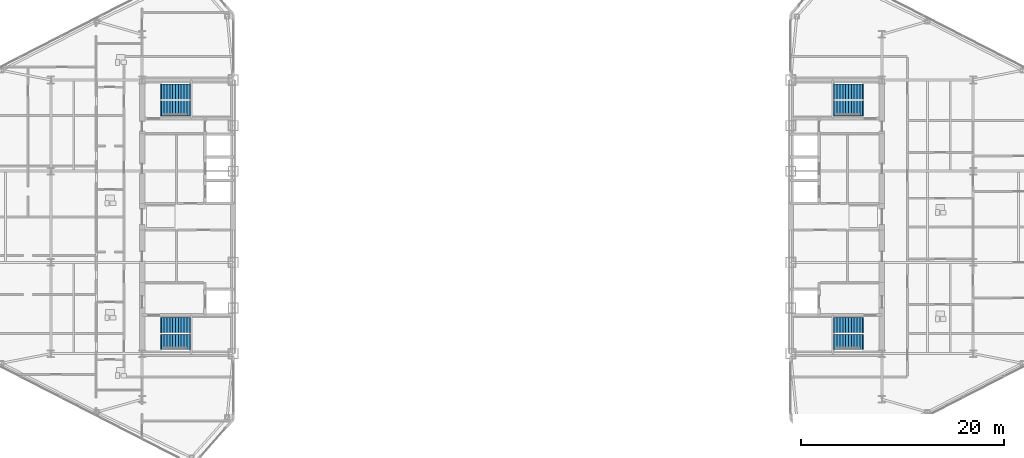
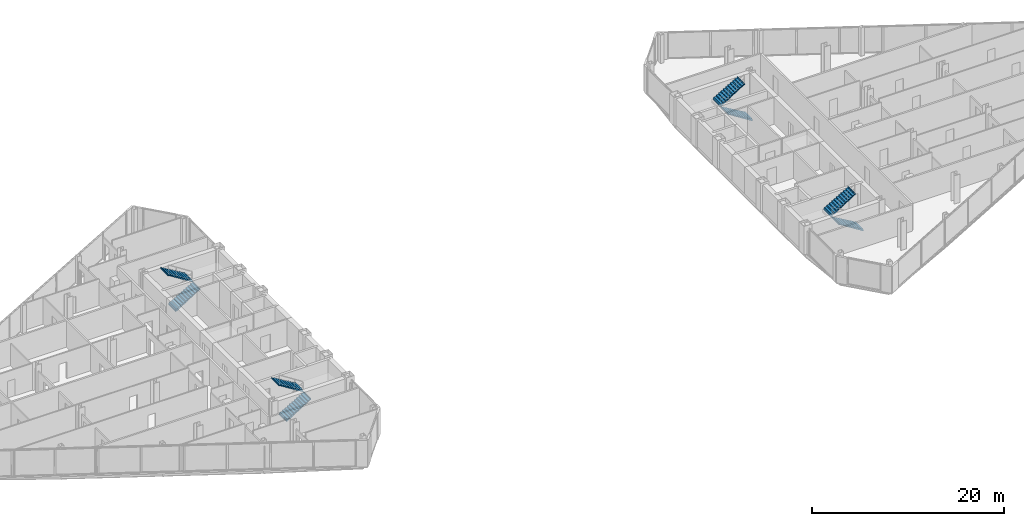
# One storey, part 21 of 23: 8 stair flights, 4 elements without a shape of their own.
"""IFC4 building model written with IfcOpenShell, lengths in metres."""

from ifc_helpers import new_model, si_unit, direction, frame, origin, place, context, subcontext, project, spatial, polyline, outline, extrude, material, type_object, element, aggregate, save


model = new_model("IFC4")

# Units and contexts
model_context = context("Model", 3, precision=1e-05, world=origin(), true_north=direction((0.0, 1.0)))
body_context = subcontext(model_context, "Body", "Model", "MODEL_VIEW")
ifc_project = project(units=[si_unit("LENGTHUNIT", "METRE"), si_unit("AREAUNIT", "SQUARE_METRE"), si_unit("VOLUMEUNIT", "CUBIC_METRE"), si_unit("PLANEANGLEUNIT", "RADIAN"), si_unit("MASSUNIT", "GRAM", prefix="KILO")], contexts=[model_context])

# Site, building, storey
site_placement = place(None, origin())
site = spatial("IfcSite", under=ifc_project, at=site_placement, CompositionType="ELEMENT")
building_placement = place(site_placement, origin())
building = spatial("IfcBuilding", under=site, at=building_placement, Name="Seokmaru Belvedere", CompositionType="ELEMENT")
storey_placement = place(building_placement, frame((0.0, 0.0, 144.0)))
storey = spatial("IfcBuildingStorey", under=building, at=storey_placement, Name="L38", CompositionType="ELEMENT", Elevation=144.0)

# Stair, stair flights
ifc_material = material(Name="Concrete C40 (40 MPa)", Category="concrete")
stair_type = type_object("IfcStairType", Name="Typical Tower Core Dog-Leg Stair 3600", PredefinedType="TWO_STRAIGHT_RUN_STAIR", material=ifc_material)
stair_1_placement = place(storey_placement, origin())
stair_1 = element("IfcStair", 1, at=stair_1_placement, inside=storey, type_object=stair_type, Name="L38 Special Escape Stair ST-W1", PredefinedType="TWO_STRAIGHT_RUN_STAIR")
stair_flight_type = type_object("IfcStairFlightType", Name="Reinforced Concrete Stair Flight 1500", PredefinedType="STRAIGHT", material=ifc_material)
stair_flight_1_placement = place(storey_placement, frame((-34.60009765625, -12.35009765625, 0.0), z_axis=(0.0, 0.0, 1.0), x_axis=(1.0, 0.0, 0.0)))
stair_flight_1 = element("IfcStairFlight", 2, at=stair_flight_1_placement, type_object=stair_flight_type, Name="ST-W1 flight 1", NumberOfRisers=11, NumberOfTreads=10, PredefinedType="STRAIGHT", RiserHeight=0.163636364, TreadLength=0.28, context=body_context, shape_type="SweptSolid", body=[
    extrude(outline(polyline([(-0.080078125, 0.0), (0.0, 0.16357421875), (0.280029296875, 0.16357421875), (0.280029296875, 0.327392578125), (0.56005859375, 0.327392578125), (0.56005859375, 0.490966796875), (0.840087890625, 0.490966796875), (0.840087890625, 0.654541015625), (1.1201171875, 0.654541015625), (1.1201171875, 0.818115234375), (1.39990234375, 0.818115234375), (1.39990234375, 0.98193359375), (1.679931640625, 0.98193359375), (1.679931640625, 1.1455078125), (1.9599609375, 1.1455078125), (1.9599609375, 1.30908203125), (2.239990234375, 1.30908203125), (2.239990234375, 1.47265625), (2.52001953125, 1.47265625), (2.52001953125, 1.636474609375), (2.800048828125, 1.636474609375), (2.800048828125, 1.800048828125), (2.8798828125, 1.800048828125), (2.8798828125, 1.610107421875), (2.800048828125, 1.610107421875), (0.0, -0.159912109375), (-0.080078125, -0.159912109375), (-0.080078125, 0.0)])), frame((0.0, 0.75, 0.0), z_axis=(0.0, -1.0, 0.0), x_axis=(1.0, 0.0, 0.0)), (0.0, 0.0, 1.0), 1.5),
])
stair_flight_2_placement = place(storey_placement, frame((-31.800048828125, -10.7099609375, 1.800048828125), z_axis=(0.0, 0.0, 1.0), x_axis=(-1.0, 0.0, 0.0)))
stair_flight_2 = element("IfcStairFlight", 3, at=stair_flight_2_placement, type_object=stair_flight_type, Name="ST-W1 flight 2", NumberOfRisers=11, NumberOfTreads=10, PredefinedType="STRAIGHT", RiserHeight=0.163636364, TreadLength=0.28, context=body_context, shape_type="SweptSolid", body=[
    extrude(outline(polyline([(-0.080078125, 0.0), (0.0, 0.16357421875), (0.280029296875, 0.16357421875), (0.280029296875, 0.327392578125), (0.56005859375, 0.327392578125), (0.56005859375, 0.490966796875), (0.840087890625, 0.490966796875), (0.840087890625, 0.654541015625), (1.1201171875, 0.654541015625), (1.1201171875, 0.818115234375), (1.39990234375, 0.818115234375), (1.39990234375, 0.98193359375), (1.679931640625, 0.98193359375), (1.679931640625, 1.1455078125), (1.9599609375, 1.1455078125), (1.9599609375, 1.30908203125), (2.239990234375, 1.30908203125), (2.239990234375, 1.47265625), (2.52001953125, 1.47265625), (2.52001953125, 1.636474609375), (2.800048828125, 1.636474609375), (2.800048828125, 1.800048828125), (2.8798828125, 1.800048828125), (2.8798828125, 1.610107421875), (2.800048828125, 1.610107421875), (0.0, -0.159912109375), (-0.080078125, -0.159912109375), (-0.080078125, 0.0)])), frame((0.0, 0.75, 0.0), z_axis=(0.0, -1.0, 0.0), x_axis=(1.0, 0.0, 0.0)), (0.0, 0.0, 1.0), 1.5),
])
aggregate(stair_1, [stair_flight_1, stair_flight_2])

stair_2_placement = place(storey_placement, origin())
stair_2 = element("IfcStair", 4, at=stair_2_placement, inside=storey, type_object=stair_type, Name="L38 Special Escape Stair ST-W2", PredefinedType="TWO_STRAIGHT_RUN_STAIR")
stair_flight_3_placement = place(storey_placement, frame((-34.60009765625, 10.7099609375, 0.0), z_axis=(0.0, 0.0, 1.0), x_axis=(1.0, 0.0, 0.0)))
stair_flight_3 = element("IfcStairFlight", 5, at=stair_flight_3_placement, type_object=stair_flight_type, Name="ST-W2 flight 1", NumberOfRisers=11, NumberOfTreads=10, PredefinedType="STRAIGHT", RiserHeight=0.163636364, TreadLength=0.28, context=body_context, shape_type="SweptSolid", body=[
    extrude(outline(polyline([(-0.080078125, 0.0), (0.0, 0.16357421875), (0.280029296875, 0.16357421875), (0.280029296875, 0.327392578125), (0.56005859375, 0.327392578125), (0.56005859375, 0.490966796875), (0.840087890625, 0.490966796875), (0.840087890625, 0.654541015625), (1.1201171875, 0.654541015625), (1.1201171875, 0.818115234375), (1.39990234375, 0.818115234375), (1.39990234375, 0.98193359375), (1.679931640625, 0.98193359375), (1.679931640625, 1.1455078125), (1.9599609375, 1.1455078125), (1.9599609375, 1.30908203125), (2.239990234375, 1.30908203125), (2.239990234375, 1.47265625), (2.52001953125, 1.47265625), (2.52001953125, 1.636474609375), (2.800048828125, 1.636474609375), (2.800048828125, 1.800048828125), (2.8798828125, 1.800048828125), (2.8798828125, 1.610107421875), (2.800048828125, 1.610107421875), (0.0, -0.159912109375), (-0.080078125, -0.159912109375), (-0.080078125, 0.0)])), frame((0.0, 0.75, 0.0), z_axis=(0.0, -1.0, 0.0), x_axis=(1.0, 0.0, 0.0)), (0.0, 0.0, 1.0), 1.5),
])
stair_flight_4_placement = place(storey_placement, frame((-31.800048828125, 12.35009765625, 1.800048828125), z_axis=(0.0, 0.0, 1.0), x_axis=(-1.0, 0.0, 0.0)))
stair_flight_4 = element("IfcStairFlight", 6, at=stair_flight_4_placement, type_object=stair_flight_type, Name="ST-W2 flight 2", NumberOfRisers=11, NumberOfTreads=10, PredefinedType="STRAIGHT", RiserHeight=0.163636364, TreadLength=0.28, context=body_context, shape_type="SweptSolid", body=[
    extrude(outline(polyline([(-0.080078125, 0.0), (0.0, 0.16357421875), (0.280029296875, 0.16357421875), (0.280029296875, 0.327392578125), (0.56005859375, 0.327392578125), (0.56005859375, 0.490966796875), (0.840087890625, 0.490966796875), (0.840087890625, 0.654541015625), (1.1201171875, 0.654541015625), (1.1201171875, 0.818115234375), (1.39990234375, 0.818115234375), (1.39990234375, 0.98193359375), (1.679931640625, 0.98193359375), (1.679931640625, 1.1455078125), (1.9599609375, 1.1455078125), (1.9599609375, 1.30908203125), (2.239990234375, 1.30908203125), (2.239990234375, 1.47265625), (2.52001953125, 1.47265625), (2.52001953125, 1.636474609375), (2.800048828125, 1.636474609375), (2.800048828125, 1.800048828125), (2.8798828125, 1.800048828125), (2.8798828125, 1.610107421875), (2.800048828125, 1.610107421875), (0.0, -0.159912109375), (-0.080078125, -0.159912109375), (-0.080078125, 0.0)])), frame((0.0, 0.75, 0.0), z_axis=(0.0, -1.0, 0.0), x_axis=(1.0, 0.0, 0.0)), (0.0, 0.0, 1.0), 1.5),
])
aggregate(stair_2, [stair_flight_3, stair_flight_4])

stair_3_placement = place(storey_placement, origin())
stair_3 = element("IfcStair", 7, at=stair_3_placement, inside=storey, type_object=stair_type, Name="L38 Special Escape Stair ST-E1", PredefinedType="TWO_STRAIGHT_RUN_STAIR")
stair_flight_5_placement = place(storey_placement, frame((34.60009765625, -12.35009765625, 0.0), z_axis=(0.0, 0.0, 1.0), x_axis=(-1.0, 0.0, 0.0)))
stair_flight_5 = element("IfcStairFlight", 8, at=stair_flight_5_placement, type_object=stair_flight_type, Name="ST-E1 flight 1", NumberOfRisers=11, NumberOfTreads=10, PredefinedType="STRAIGHT", RiserHeight=0.163636364, TreadLength=0.28, context=body_context, shape_type="SweptSolid", body=[
    extrude(outline(polyline([(-0.080078125, 0.0), (0.0, 0.16357421875), (0.280029296875, 0.16357421875), (0.280029296875, 0.327392578125), (0.56005859375, 0.327392578125), (0.56005859375, 0.490966796875), (0.840087890625, 0.490966796875), (0.840087890625, 0.654541015625), (1.1201171875, 0.654541015625), (1.1201171875, 0.818115234375), (1.39990234375, 0.818115234375), (1.39990234375, 0.98193359375), (1.679931640625, 0.98193359375), (1.679931640625, 1.1455078125), (1.9599609375, 1.1455078125), (1.9599609375, 1.30908203125), (2.239990234375, 1.30908203125), (2.239990234375, 1.47265625), (2.52001953125, 1.47265625), (2.52001953125, 1.636474609375), (2.800048828125, 1.636474609375), (2.800048828125, 1.800048828125), (2.8798828125, 1.800048828125), (2.8798828125, 1.610107421875), (2.800048828125, 1.610107421875), (0.0, -0.159912109375), (-0.080078125, -0.159912109375), (-0.080078125, 0.0)])), frame((0.0, 0.75, 0.0), z_axis=(0.0, -1.0, 0.0), x_axis=(1.0, 0.0, 0.0)), (0.0, 0.0, 1.0), 1.5),
])
stair_flight_6_placement = place(storey_placement, frame((31.800048828125, -10.7099609375, 1.800048828125), z_axis=(0.0, 0.0, 1.0), x_axis=(1.0, 0.0, 0.0)))
stair_flight_6 = element("IfcStairFlight", 9, at=stair_flight_6_placement, type_object=stair_flight_type, Name="ST-E1 flight 2", NumberOfRisers=11, NumberOfTreads=10, PredefinedType="STRAIGHT", RiserHeight=0.163636364, TreadLength=0.28, context=body_context, shape_type="SweptSolid", body=[
    extrude(outline(polyline([(-0.080078125, 0.0), (0.0, 0.16357421875), (0.280029296875, 0.16357421875), (0.280029296875, 0.327392578125), (0.56005859375, 0.327392578125), (0.56005859375, 0.490966796875), (0.840087890625, 0.490966796875), (0.840087890625, 0.654541015625), (1.1201171875, 0.654541015625), (1.1201171875, 0.818115234375), (1.39990234375, 0.818115234375), (1.39990234375, 0.98193359375), (1.679931640625, 0.98193359375), (1.679931640625, 1.1455078125), (1.9599609375, 1.1455078125), (1.9599609375, 1.30908203125), (2.239990234375, 1.30908203125), (2.239990234375, 1.47265625), (2.52001953125, 1.47265625), (2.52001953125, 1.636474609375), (2.800048828125, 1.636474609375), (2.800048828125, 1.800048828125), (2.8798828125, 1.800048828125), (2.8798828125, 1.610107421875), (2.800048828125, 1.610107421875), (0.0, -0.159912109375), (-0.080078125, -0.159912109375), (-0.080078125, 0.0)])), frame((0.0, 0.75, 0.0), z_axis=(0.0, -1.0, 0.0), x_axis=(1.0, 0.0, 0.0)), (0.0, 0.0, 1.0), 1.5),
])
aggregate(stair_3, [stair_flight_5, stair_flight_6])

stair_4_placement = place(storey_placement, origin())
stair_4 = element("IfcStair", 10, at=stair_4_placement, inside=storey, type_object=stair_type, Name="L38 Special Escape Stair ST-E2", PredefinedType="TWO_STRAIGHT_RUN_STAIR")
stair_flight_7_placement = place(storey_placement, frame((34.60009765625, 10.7099609375, 0.0), z_axis=(0.0, 0.0, 1.0), x_axis=(-1.0, 0.0, 0.0)))
stair_flight_7 = element("IfcStairFlight", 11, at=stair_flight_7_placement, type_object=stair_flight_type, Name="ST-E2 flight 1", NumberOfRisers=11, NumberOfTreads=10, PredefinedType="STRAIGHT", RiserHeight=0.163636364, TreadLength=0.28, context=body_context, shape_type="SweptSolid", body=[
    extrude(outline(polyline([(-0.080078125, 0.0), (0.0, 0.16357421875), (0.280029296875, 0.16357421875), (0.280029296875, 0.327392578125), (0.56005859375, 0.327392578125), (0.56005859375, 0.490966796875), (0.840087890625, 0.490966796875), (0.840087890625, 0.654541015625), (1.1201171875, 0.654541015625), (1.1201171875, 0.818115234375), (1.39990234375, 0.818115234375), (1.39990234375, 0.98193359375), (1.679931640625, 0.98193359375), (1.679931640625, 1.1455078125), (1.9599609375, 1.1455078125), (1.9599609375, 1.30908203125), (2.239990234375, 1.30908203125), (2.239990234375, 1.47265625), (2.52001953125, 1.47265625), (2.52001953125, 1.636474609375), (2.800048828125, 1.636474609375), (2.800048828125, 1.800048828125), (2.8798828125, 1.800048828125), (2.8798828125, 1.610107421875), (2.800048828125, 1.610107421875), (0.0, -0.159912109375), (-0.080078125, -0.159912109375), (-0.080078125, 0.0)])), frame((0.0, 0.75, 0.0), z_axis=(0.0, -1.0, 0.0), x_axis=(1.0, 0.0, 0.0)), (0.0, 0.0, 1.0), 1.5),
])
stair_flight_8_placement = place(storey_placement, frame((31.800048828125, 12.35009765625, 1.800048828125), z_axis=(0.0, 0.0, 1.0), x_axis=(1.0, 0.0, 0.0)))
stair_flight_8 = element("IfcStairFlight", 12, at=stair_flight_8_placement, type_object=stair_flight_type, Name="ST-E2 flight 2", NumberOfRisers=11, NumberOfTreads=10, PredefinedType="STRAIGHT", RiserHeight=0.163636364, TreadLength=0.28, context=body_context, shape_type="SweptSolid", body=[
    extrude(outline(polyline([(-0.080078125, 0.0), (0.0, 0.16357421875), (0.280029296875, 0.16357421875), (0.280029296875, 0.327392578125), (0.56005859375, 0.327392578125), (0.56005859375, 0.490966796875), (0.840087890625, 0.490966796875), (0.840087890625, 0.654541015625), (1.1201171875, 0.654541015625), (1.1201171875, 0.818115234375), (1.39990234375, 0.818115234375), (1.39990234375, 0.98193359375), (1.679931640625, 0.98193359375), (1.679931640625, 1.1455078125), (1.9599609375, 1.1455078125), (1.9599609375, 1.30908203125), (2.239990234375, 1.30908203125), (2.239990234375, 1.47265625), (2.52001953125, 1.47265625), (2.52001953125, 1.636474609375), (2.800048828125, 1.636474609375), (2.800048828125, 1.800048828125), (2.8798828125, 1.800048828125), (2.8798828125, 1.610107421875), (2.800048828125, 1.610107421875), (0.0, -0.159912109375), (-0.080078125, -0.159912109375), (-0.080078125, 0.0)])), frame((0.0, 0.75, 0.0), z_axis=(0.0, -1.0, 0.0), x_axis=(1.0, 0.0, 0.0)), (0.0, 0.0, 1.0), 1.5),
])
aggregate(stair_4, [stair_flight_7, stair_flight_8])

save(model, "model.ifc")
